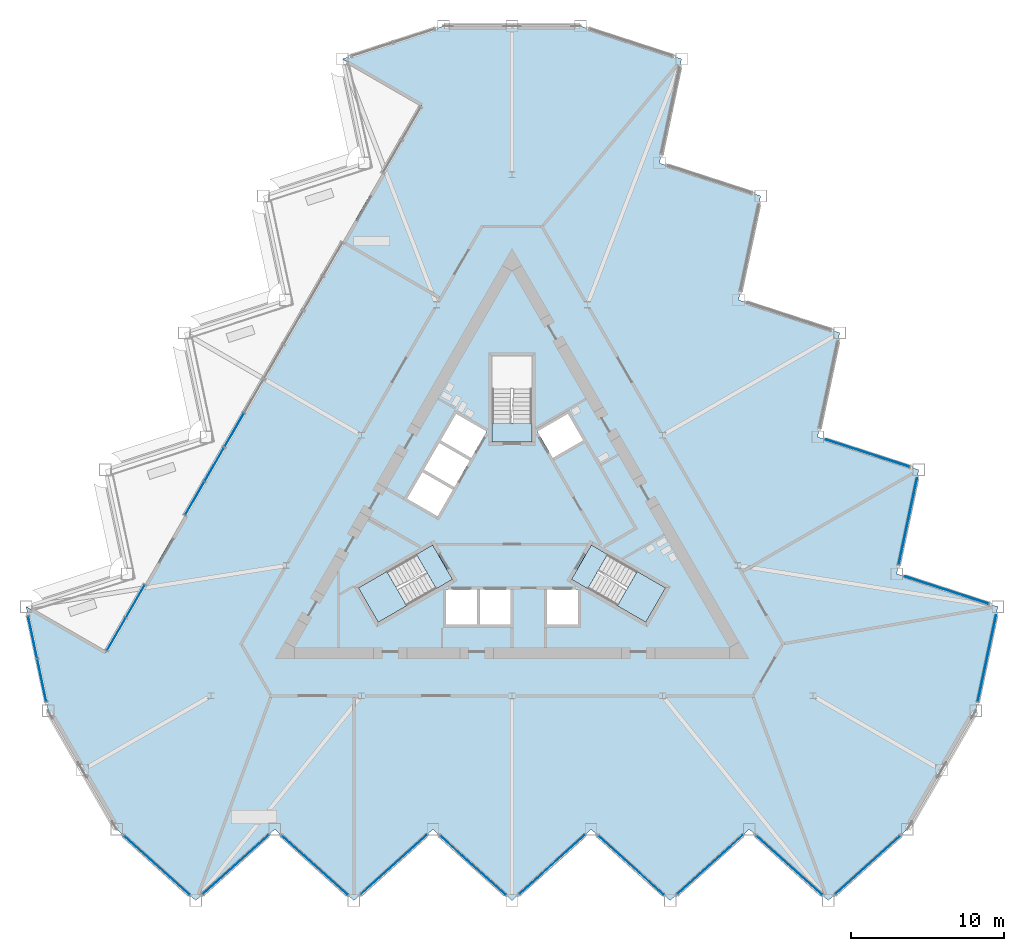
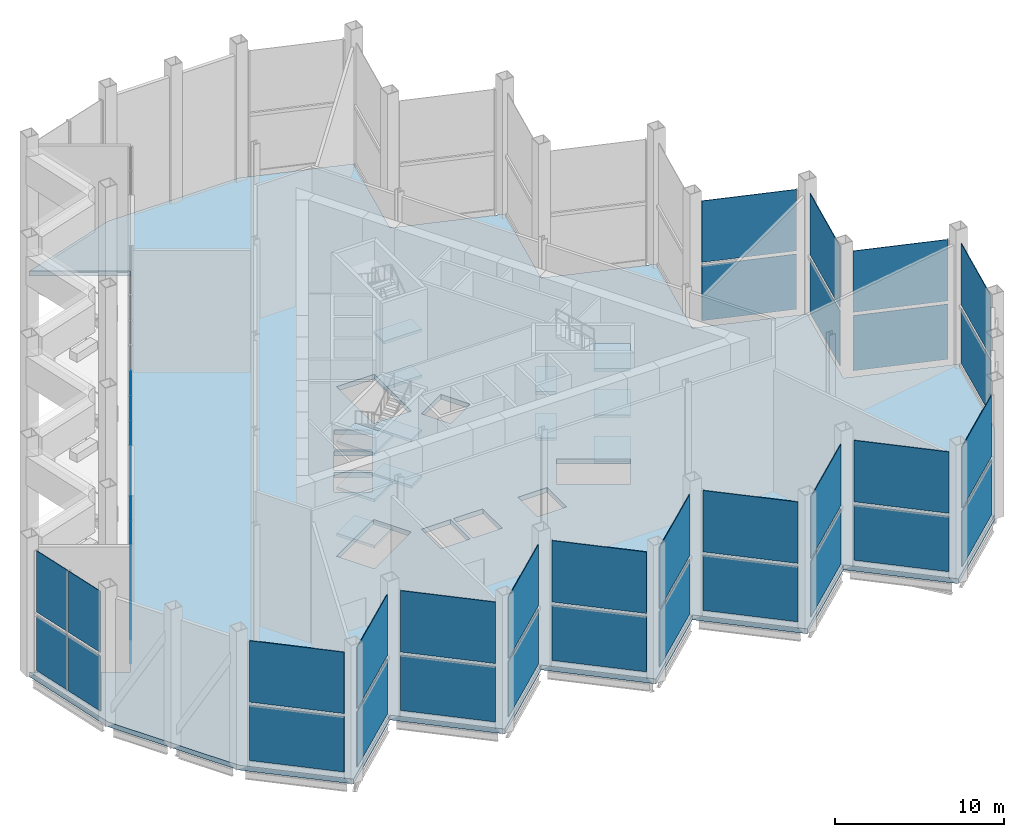
# One storey, part 7 of 18: 42 plates, 13 slabs, 9 elements without a shape of their own.
"""IFC4 building model written with IfcOpenShell, lengths in metres."""

from ifc_helpers import new_model, si_unit, direction, frame, origin, origin_2d, place, context, subcontext, project, spatial, polyline, rectangle, outline, extrude, material, layer, layer_set, type_object, element, aggregate, save


model = new_model("IFC4")

# Units and contexts
model_context = context("Model", 3, precision=1e-05, world=origin(), true_north=direction((0.0, 1.0)))
body_context = subcontext(model_context, "Body", "Model", "MODEL_VIEW")
ifc_project = project(units=[si_unit("LENGTHUNIT", "METRE"), si_unit("AREAUNIT", "SQUARE_METRE"), si_unit("VOLUMEUNIT", "CUBIC_METRE"), si_unit("PLANEANGLEUNIT", "RADIAN"), si_unit("MASSUNIT", "GRAM", prefix="KILO")], contexts=[model_context])

# Site, building, storey
site_placement = place(None, origin())
site = spatial("IfcSite", under=ifc_project, at=site_placement, CompositionType="ELEMENT")
building_placement = place(site_placement, origin())
building = spatial("IfcBuilding", under=site, at=building_placement, Name="Cormorant Prow Tower", CompositionType="ELEMENT")
storey_placement = place(building_placement, frame((0.0, 0.0, 216.0)))
storey = spatial("IfcBuildingStorey", under=building, at=storey_placement, Name="L48", CompositionType="ELEMENT", Elevation=216.0)

# Slab
ifc_material_1 = material(Name="Concrete C40/50", Category="concrete")
ifc_layer_1 = layer(ifc_material_1, 0.35009765625)
ifc_layer_set_1 = layer_set([ifc_layer_1], Name="Concrete C40/50")
slab_type_1 = type_object("IfcSlabType", Name="Post-tensioned flat slab 350", PredefinedType="FLOOR", material=ifc_layer_set_1)
slab_1_placement = place(storey_placement, frame((0.0, 0.0, -0.35009765625)))
element("IfcSlab", 1, at=slab_1_placement, inside=storey, type_object=slab_type_1, Name="Floor slab L48", PredefinedType="FLOOR", context=body_context, shape_type="SweptSolid", body=[
    extrude(outline(polyline([(25.12939453125, -3.3828125), (26.57421875, 3.415283203125), (19.964599609375, 5.562744140625), (21.409423828125, 12.36083984375), (14.7998046875, 14.50830078125), (16.244873046875, 21.306396484375), (9.63525390625, 23.453857421875), (11.080078125, 30.251953125), (4.470458984375, 32.3994140625), (0.0, 32.3994140625), (-4.470458984375, 32.3994140625), (-11.080078125, 30.251953125), (-5.884033203125, 27.251953125), (-26.542724609375, -8.5302734375), (-31.739013671875, -5.5302734375), (-30.2939453125, -12.328369140625), (-28.058837890625, -16.19970703125), (-25.823486328125, -20.0712890625), (-20.658935546875, -24.7216796875), (-15.494140625, -20.0712890625), (-10.329345703125, -24.7216796875), (-5.164794921875, -20.0712890625), (0.0, -24.7216796875), (5.164794921875, -20.0712890625), (10.329345703125, -24.7216796875), (15.494140625, -20.0712890625), (20.658935546875, -24.7216796875), (25.823486328125, -20.0712890625), (28.058837890625, -16.19970703125), (30.2939453125, -12.328369140625), (31.739013671875, -5.5302734375), (25.12939453125, -3.3828125)]), holes=[polyline([(-4.300048828125, -4.39990234375), (-2.300048828125, -4.39990234375), (-2.300048828125, -6.699951171875), (-4.300048828125, -6.699951171875), (-4.300048828125, -4.39990234375)]), polyline([(-0.10009765625, -4.39990234375), (-0.10009765625, -6.699951171875), (-2.10009765625, -6.699951171875), (-2.10009765625, -4.39990234375), (-0.10009765625, -4.39990234375)]), polyline([(4.300048828125, -6.699951171875), (2.300048828125, -6.699951171875), (2.300048828125, -4.39990234375), (4.300048828125, -4.39990234375), (4.300048828125, -6.699951171875)]), polyline([(4.65234375, 5.341796875), (2.660400390625, 4.19189453125), (1.660400390625, 5.923828125), (3.65234375, 7.073974609375), (4.65234375, 5.341796875)]), polyline([(-1.660400390625, 5.923828125), (-2.660400390625, 4.19189453125), (-4.65234375, 5.341796875), (-3.65234375, 7.073974609375), (-1.660400390625, 5.923828125)]), polyline([(-3.760498046875, 2.28662109375), (-5.75244140625, 3.4365234375), (-4.75244140625, 5.168701171875), (-2.760498046875, 4.018798828125), (-3.760498046875, 2.28662109375)]), polyline([(-6.852294921875, 1.53125), (-5.852294921875, 3.263427734375), (-3.860595703125, 2.11328125), (-4.860595703125, 0.38134765625), (-6.852294921875, 1.53125)]), polyline([(-4.947509765625, -4.3505859375), (-8.738037109375, -6.5390625), (-10.031982421875, -4.2978515625), (-6.241455078125, -2.109375), (-4.947509765625, -4.3505859375)]), polyline([(10.031982421875, -4.2978515625), (8.738037109375, -6.5390625), (4.947509765625, -4.3505859375), (6.241455078125, -2.109375), (10.031982421875, -4.2978515625)]), polyline([(1.2939453125, 10.8369140625), (1.2939453125, 6.459716796875), (-1.2939453125, 6.459716796875), (-1.2939453125, 10.8369140625), (1.2939453125, 10.8369140625)])]), origin(), (0.0, 0.0, 1.0), 0.35009765625),
])

# Curtain wall, plates
ifc_material_2 = material(Name="Aluminium 6063-T6", Category="aluminium")
ifc_layer_2 = layer(ifc_material_2, 0.300048828125)
ifc_layer_set_2 = layer_set([ifc_layer_2], Name="Aluminium 6063-T6")
curtain_wall_type = type_object("IfcCurtainWallType", Name="Sky lobby unitised curtain wall 300", PredefinedType="NOTDEFINED", material=ifc_layer_set_2)
curtain_wall_1_placement = place(storey_placement, origin())
curtain_wall_1 = element("IfcCurtainWall", 2, at=curtain_wall_1_placement, inside=storey, type_object=curtain_wall_type, Name="Sky lobby curtain wall S00-S09", PredefinedType="NOTDEFINED")
ifc_material_3 = material(Name="Clear glass", Category="glass")
ifc_layer_3 = layer(ifc_material_3, 0.0439453125)
ifc_layer_set_3 = layer_set([ifc_layer_3], Name="Clear glass")
plate_type = type_object("IfcPlateType", Name="Sky lobby glass panel 44", PredefinedType="CURTAIN_PANEL", material=ifc_layer_set_3)
plate_1_placement = place(storey_placement, frame((-23.21142578125, -22.423095703125, 0.449951171875), z_axis=(0.0, 0.0, 1.0), x_axis=(0.743144888098, -0.669130536812, 0.0)))
plate_1 = element("IfcPlate", 3, at=plate_1_placement, type_object=plate_type, Name="Sky lobby glass panel S00-S09", PredefinedType="CURTAIN_PANEL", context=body_context, shape_type="SweptSolid", body=[
    extrude(rectangle(XDim=5.73388671875, YDim=0.0439453125, at=origin_2d()), origin(), (0.0, 0.0, 1.0), 3.98046875),
])
plate_2_placement = place(storey_placement, frame((-23.21142578125, -22.423095703125, 4.67041015625), z_axis=(0.0, 0.0, 1.0), x_axis=(0.743144888098, -0.669130536812, 0.0)))
plate_2 = element("IfcPlate", 4, at=plate_2_placement, type_object=plate_type, Name="Sky lobby glass panel S00-S09", PredefinedType="CURTAIN_PANEL", context=body_context, shape_type="SweptSolid", body=[
    extrude(rectangle(XDim=5.73388671875, YDim=0.0439453125, at=origin_2d()), origin(), (0.0, 0.0, 1.0), 4.430419921875),
])
plate_3_placement = place(storey_placement, frame((-18.046875, -22.36962890625, 0.449951171875), z_axis=(0.0, 0.0, 1.0), x_axis=(0.743144823679, 0.669130608356, 0.0)))
plate_3 = element("IfcPlate", 5, at=plate_3_placement, type_object=plate_type, Name="Sky lobby glass panel S00-S09", PredefinedType="CURTAIN_PANEL", context=body_context, shape_type="SweptSolid", body=[
    extrude(rectangle(XDim=5.73388671875, YDim=0.0439453125, at=origin_2d()), origin(), (0.0, 0.0, 1.0), 3.98046875),
])
plate_4_placement = place(storey_placement, frame((-18.046875, -22.36962890625, 4.67041015625), z_axis=(0.0, 0.0, 1.0), x_axis=(0.743144823679, 0.669130608356, 0.0)))
plate_4 = element("IfcPlate", 6, at=plate_4_placement, type_object=plate_type, Name="Sky lobby glass panel S00-S09", PredefinedType="CURTAIN_PANEL", context=body_context, shape_type="SweptSolid", body=[
    extrude(rectangle(XDim=5.73388671875, YDim=0.0439453125, at=origin_2d()), origin(), (0.0, 0.0, 1.0), 4.430419921875),
])
plate_5_placement = place(storey_placement, frame((-12.882080078125, -22.423095703125, 0.449951171875), z_axis=(0.0, 0.0, 1.0), x_axis=(0.743144823679, -0.669130608356, 0.0)))
plate_5 = element("IfcPlate", 7, at=plate_5_placement, type_object=plate_type, Name="Sky lobby glass panel S00-S09", PredefinedType="CURTAIN_PANEL", context=body_context, shape_type="SweptSolid", body=[
    extrude(rectangle(XDim=5.73388671875, YDim=0.0439453125, at=origin_2d()), origin(), (0.0, 0.0, 1.0), 3.98046875),
])
plate_6_placement = place(storey_placement, frame((-12.882080078125, -22.423095703125, 4.67041015625), z_axis=(0.0, 0.0, 1.0), x_axis=(0.743144823679, -0.669130608356, 0.0)))
plate_6 = element("IfcPlate", 8, at=plate_6_placement, type_object=plate_type, Name="Sky lobby glass panel S00-S09", PredefinedType="CURTAIN_PANEL", context=body_context, shape_type="SweptSolid", body=[
    extrude(rectangle(XDim=5.73388671875, YDim=0.0439453125, at=origin_2d()), origin(), (0.0, 0.0, 1.0), 4.430419921875),
])
plate_7_placement = place(storey_placement, frame((-7.71728515625, -22.36962890625, 0.449951171875), z_axis=(0.0, 0.0, 1.0), x_axis=(0.743144888098, 0.669130536812, 0.0)))
plate_7 = element("IfcPlate", 9, at=plate_7_placement, type_object=plate_type, Name="Sky lobby glass panel S00-S09", PredefinedType="CURTAIN_PANEL", context=body_context, shape_type="SweptSolid", body=[
    extrude(rectangle(XDim=5.73388671875, YDim=0.0439453125, at=origin_2d()), origin(), (0.0, 0.0, 1.0), 3.98046875),
])
plate_8_placement = place(storey_placement, frame((-7.71728515625, -22.36962890625, 4.67041015625), z_axis=(0.0, 0.0, 1.0), x_axis=(0.743144888098, 0.669130536812, 0.0)))
plate_8 = element("IfcPlate", 10, at=plate_8_placement, type_object=plate_type, Name="Sky lobby glass panel S00-S09", PredefinedType="CURTAIN_PANEL", context=body_context, shape_type="SweptSolid", body=[
    extrude(rectangle(XDim=5.73388671875, YDim=0.0439453125, at=origin_2d()), origin(), (0.0, 0.0, 1.0), 4.430419921875),
])
plate_9_placement = place(storey_placement, frame((-2.552734375, -22.423095703125, 0.449951171875), z_axis=(0.0, 0.0, 1.0), x_axis=(0.743144823679, -0.669130608356, 0.0)))
plate_9 = element("IfcPlate", 11, at=plate_9_placement, type_object=plate_type, Name="Sky lobby glass panel S00-S09", PredefinedType="CURTAIN_PANEL", context=body_context, shape_type="SweptSolid", body=[
    extrude(rectangle(XDim=5.73388671875, YDim=0.0439453125, at=origin_2d()), origin(), (0.0, 0.0, 1.0), 3.98046875),
])
plate_10_placement = place(storey_placement, frame((-2.552734375, -22.423095703125, 4.67041015625), z_axis=(0.0, 0.0, 1.0), x_axis=(0.743144823679, -0.669130608356, 0.0)))
plate_10 = element("IfcPlate", 12, at=plate_10_placement, type_object=plate_type, Name="Sky lobby glass panel S00-S09", PredefinedType="CURTAIN_PANEL", context=body_context, shape_type="SweptSolid", body=[
    extrude(rectangle(XDim=5.73388671875, YDim=0.0439453125, at=origin_2d()), origin(), (0.0, 0.0, 1.0), 4.430419921875),
])
plate_11_placement = place(storey_placement, frame((2.612060546875, -22.36962890625, 0.449951171875), z_axis=(0.0, 0.0, 1.0), x_axis=(0.743144823679, 0.669130608356, 0.0)))
plate_11 = element("IfcPlate", 13, at=plate_11_placement, type_object=plate_type, Name="Sky lobby glass panel S00-S09", PredefinedType="CURTAIN_PANEL", context=body_context, shape_type="SweptSolid", body=[
    extrude(rectangle(XDim=5.73388671875, YDim=0.0439453125, at=origin_2d()), origin(), (0.0, 0.0, 1.0), 3.98046875),
])
plate_12_placement = place(storey_placement, frame((2.612060546875, -22.36962890625, 4.67041015625), z_axis=(0.0, 0.0, 1.0), x_axis=(0.743144823679, 0.669130608356, 0.0)))
plate_12 = element("IfcPlate", 14, at=plate_12_placement, type_object=plate_type, Name="Sky lobby glass panel S00-S09", PredefinedType="CURTAIN_PANEL", context=body_context, shape_type="SweptSolid", body=[
    extrude(rectangle(XDim=5.73388671875, YDim=0.0439453125, at=origin_2d()), origin(), (0.0, 0.0, 1.0), 4.430419921875),
])
plate_13_placement = place(storey_placement, frame((7.77685546875, -22.423095703125, 0.449951171875), z_axis=(0.0, 0.0, 1.0), x_axis=(0.743144888098, -0.669130536812, 0.0)))
plate_13 = element("IfcPlate", 15, at=plate_13_placement, type_object=plate_type, Name="Sky lobby glass panel S00-S09", PredefinedType="CURTAIN_PANEL", context=body_context, shape_type="SweptSolid", body=[
    extrude(rectangle(XDim=5.73388671875, YDim=0.0439453125, at=origin_2d()), origin(), (0.0, 0.0, 1.0), 3.98046875),
])
plate_14_placement = place(storey_placement, frame((7.77685546875, -22.423095703125, 4.67041015625), z_axis=(0.0, 0.0, 1.0), x_axis=(0.743144888098, -0.669130536812, 0.0)))
plate_14 = element("IfcPlate", 16, at=plate_14_placement, type_object=plate_type, Name="Sky lobby glass panel S00-S09", PredefinedType="CURTAIN_PANEL", context=body_context, shape_type="SweptSolid", body=[
    extrude(rectangle(XDim=5.73388671875, YDim=0.0439453125, at=origin_2d()), origin(), (0.0, 0.0, 1.0), 4.430419921875),
])
plate_15_placement = place(storey_placement, frame((12.94140625, -22.36962890625, 0.449951171875), z_axis=(0.0, 0.0, 1.0), x_axis=(0.743144823679, 0.669130608356, 0.0)))
plate_15 = element("IfcPlate", 17, at=plate_15_placement, type_object=plate_type, Name="Sky lobby glass panel S00-S09", PredefinedType="CURTAIN_PANEL", context=body_context, shape_type="SweptSolid", body=[
    extrude(rectangle(XDim=5.73388671875, YDim=0.0439453125, at=origin_2d()), origin(), (0.0, 0.0, 1.0), 3.98046875),
])
plate_16_placement = place(storey_placement, frame((12.94140625, -22.36962890625, 4.67041015625), z_axis=(0.0, 0.0, 1.0), x_axis=(0.743144823679, 0.669130608356, 0.0)))
plate_16 = element("IfcPlate", 18, at=plate_16_placement, type_object=plate_type, Name="Sky lobby glass panel S00-S09", PredefinedType="CURTAIN_PANEL", context=body_context, shape_type="SweptSolid", body=[
    extrude(rectangle(XDim=5.73388671875, YDim=0.0439453125, at=origin_2d()), origin(), (0.0, 0.0, 1.0), 4.430419921875),
])
plate_17_placement = place(storey_placement, frame((18.106201171875, -22.423095703125, 0.449951171875), z_axis=(0.0, 0.0, 1.0), x_axis=(0.743144823679, -0.669130608356, 0.0)))
plate_17 = element("IfcPlate", 19, at=plate_17_placement, type_object=plate_type, Name="Sky lobby glass panel S00-S09", PredefinedType="CURTAIN_PANEL", context=body_context, shape_type="SweptSolid", body=[
    extrude(rectangle(XDim=5.73388671875, YDim=0.0439453125, at=origin_2d()), origin(), (0.0, 0.0, 1.0), 3.98046875),
])
plate_18_placement = place(storey_placement, frame((18.106201171875, -22.423095703125, 4.67041015625), z_axis=(0.0, 0.0, 1.0), x_axis=(0.743144823679, -0.669130608356, 0.0)))
plate_18 = element("IfcPlate", 20, at=plate_18_placement, type_object=plate_type, Name="Sky lobby glass panel S00-S09", PredefinedType="CURTAIN_PANEL", context=body_context, shape_type="SweptSolid", body=[
    extrude(rectangle(XDim=5.73388671875, YDim=0.0439453125, at=origin_2d()), origin(), (0.0, 0.0, 1.0), 4.430419921875),
])
plate_19_placement = place(storey_placement, frame((23.2412109375, -22.396484375, 0.449951171875), z_axis=(0.0, 0.0, 1.0), x_axis=(0.743144888098, 0.669130536812, 0.0)))
plate_19 = element("IfcPlate", 21, at=plate_19_placement, type_object=plate_type, Name="Sky lobby glass panel S00-S09", PredefinedType="CURTAIN_PANEL", context=body_context, shape_type="SweptSolid", body=[
    extrude(rectangle(XDim=5.65380859375, YDim=0.0439453125, at=origin_2d()), origin(), (0.0, 0.0, 1.0), 3.98046875),
])
plate_20_placement = place(storey_placement, frame((23.2412109375, -22.396484375, 4.67041015625), z_axis=(0.0, 0.0, 1.0), x_axis=(0.743144888098, 0.669130536812, 0.0)))
plate_20 = element("IfcPlate", 22, at=plate_20_placement, type_object=plate_type, Name="Sky lobby glass panel S00-S09", PredefinedType="CURTAIN_PANEL", context=body_context, shape_type="SweptSolid", body=[
    extrude(rectangle(XDim=5.65380859375, YDim=0.0439453125, at=origin_2d()), origin(), (0.0, 0.0, 1.0), 4.430419921875),
])
aggregate(curtain_wall_1, [plate_1, plate_2, plate_3, plate_4, plate_5, plate_6, plate_7, plate_8, plate_9, plate_10, plate_11, plate_12, plate_13, plate_14, plate_15, plate_16, plate_17, plate_18, plate_19, plate_20])

curtain_wall_2_placement = place(storey_placement, origin())
curtain_wall_2 = element("IfcCurtainWall", 23, at=curtain_wall_2_placement, inside=storey, type_object=curtain_wall_type, Name="Sky lobby curtain wall ENE00-ENE09", PredefinedType="NOTDEFINED")
plate_21_placement = place(storey_placement, frame((31.02490234375, -8.89013671875, 0.449951171875), z_axis=(0.0, 0.0, 1.0), x_axis=(0.207911745465, 0.978147589118, 0.0)))
plate_21 = element("IfcPlate", 24, at=plate_21_placement, type_object=plate_type, Name="Sky lobby glass panel ENE00-ENE09", PredefinedType="CURTAIN_PANEL", context=body_context, shape_type="SweptSolid", body=[
    extrude(rectangle(XDim=5.73388671875, YDim=0.0439453125, at=origin_2d()), origin(), (0.0, 0.0, 1.0), 3.98046875),
])
plate_22_placement = place(storey_placement, frame((31.02490234375, -8.89013671875, 4.67041015625), z_axis=(0.0, 0.0, 1.0), x_axis=(0.207911745465, 0.978147589118, 0.0)))
plate_22 = element("IfcPlate", 25, at=plate_22_placement, type_object=plate_type, Name="Sky lobby glass panel ENE00-ENE09", PredefinedType="CURTAIN_PANEL", context=body_context, shape_type="SweptSolid", body=[
    extrude(rectangle(XDim=5.73388671875, YDim=0.0439453125, at=origin_2d()), origin(), (0.0, 0.0, 1.0), 4.430419921875),
])
plate_23_placement = place(storey_placement, frame((28.39599609375, -4.444091796875, 0.449951171875), z_axis=(0.0, 0.0, 1.0), x_axis=(-0.951056502294, 0.309017037466, 0.0)))
plate_23 = element("IfcPlate", 26, at=plate_23_placement, type_object=plate_type, Name="Sky lobby glass panel ENE00-ENE09", PredefinedType="CURTAIN_PANEL", context=body_context, shape_type="SweptSolid", body=[
    extrude(rectangle(XDim=5.73388671875, YDim=0.0439453125, at=origin_2d()), origin(), (0.0, 0.0, 1.0), 3.98046875),
])
plate_24_placement = place(storey_placement, frame((28.39599609375, -4.444091796875, 4.67041015625), z_axis=(0.0, 0.0, 1.0), x_axis=(-0.951056502294, 0.309017037466, 0.0)))
plate_24 = element("IfcPlate", 27, at=plate_24_placement, type_object=plate_type, Name="Sky lobby glass panel ENE00-ENE09", PredefinedType="CURTAIN_PANEL", context=body_context, shape_type="SweptSolid", body=[
    extrude(rectangle(XDim=5.73388671875, YDim=0.0439453125, at=origin_2d()), origin(), (0.0, 0.0, 1.0), 4.430419921875),
])
plate_25_placement = place(storey_placement, frame((25.860107421875, 0.055419921875, 0.449951171875), z_axis=(0.0, 0.0, 1.0), x_axis=(0.207911607797, 0.97814761838, 0.0)))
plate_25 = element("IfcPlate", 28, at=plate_25_placement, type_object=plate_type, Name="Sky lobby glass panel ENE00-ENE09", PredefinedType="CURTAIN_PANEL", context=body_context, shape_type="SweptSolid", body=[
    extrude(rectangle(XDim=5.73388671875, YDim=0.0439453125, at=origin_2d()), origin(), (0.0, 0.0, 1.0), 3.98046875),
])
plate_26_placement = place(storey_placement, frame((25.860107421875, 0.055419921875, 4.67041015625), z_axis=(0.0, 0.0, 1.0), x_axis=(0.207911607797, 0.97814761838, 0.0)))
plate_26 = element("IfcPlate", 29, at=plate_26_placement, type_object=plate_type, Name="Sky lobby glass panel ENE00-ENE09", PredefinedType="CURTAIN_PANEL", context=body_context, shape_type="SweptSolid", body=[
    extrude(rectangle(XDim=5.73388671875, YDim=0.0439453125, at=origin_2d()), origin(), (0.0, 0.0, 1.0), 4.430419921875),
])
plate_27_placement = place(storey_placement, frame((23.2314453125, 4.50146484375, 0.449951171875), z_axis=(0.0, 0.0, 1.0), x_axis=(-0.951056544583, 0.309016907313, 0.0)))
plate_27 = element("IfcPlate", 30, at=plate_27_placement, type_object=plate_type, Name="Sky lobby glass panel ENE00-ENE09", PredefinedType="CURTAIN_PANEL", context=body_context, shape_type="SweptSolid", body=[
    extrude(rectangle(XDim=5.73388671875, YDim=0.0439453125, at=origin_2d()), origin(), (0.0, 0.0, 1.0), 3.98046875),
])
plate_28_placement = place(storey_placement, frame((23.2314453125, 4.50146484375, 4.67041015625), z_axis=(0.0, 0.0, 1.0), x_axis=(-0.951056544583, 0.309016907313, 0.0)))
plate_28 = element("IfcPlate", 31, at=plate_28_placement, type_object=plate_type, Name="Sky lobby glass panel ENE00-ENE09", PredefinedType="CURTAIN_PANEL", context=body_context, shape_type="SweptSolid", body=[
    extrude(rectangle(XDim=5.73388671875, YDim=0.0439453125, at=origin_2d()), origin(), (0.0, 0.0, 1.0), 4.430419921875),
])
aggregate(curtain_wall_2, [plate_21, plate_22, plate_23, plate_24, plate_25, plate_26, plate_27, plate_28])

curtain_wall_3_placement = place(storey_placement, origin())
curtain_wall_3 = element("IfcCurtainWall", 32, at=curtain_wall_3_placement, inside=storey, type_object=curtain_wall_type, Name="Sky lobby curtain wall WNW09", PredefinedType="NOTDEFINED")
plate_29_placement = place(storey_placement, frame((-31.314453125, -7.527099609375, 0.449951171875), z_axis=(0.0, 0.0, 1.0), x_axis=(0.207911745465, -0.978147589118, 0.0)))
plate_29 = element("IfcPlate", 33, at=plate_29_placement, type_object=plate_type, Name="Sky lobby glass panel WNW09", PredefinedType="CURTAIN_PANEL", context=body_context, shape_type="SweptSolid", body=[
    extrude(rectangle(XDim=2.786865234375, YDim=0.0439453125, at=origin_2d()), origin(), (0.0, 0.0, 1.0), 3.98046875),
])
plate_30_placement = place(storey_placement, frame((-30.718505859375, -10.331298828125, 0.449951171875), z_axis=(0.0, 0.0, 1.0), x_axis=(0.207911745465, -0.978147589118, 0.0)))
plate_30 = element("IfcPlate", 34, at=plate_30_placement, type_object=plate_type, Name="Sky lobby glass panel WNW09", PredefinedType="CURTAIN_PANEL", context=body_context, shape_type="SweptSolid", body=[
    extrude(rectangle(XDim=2.786865234375, YDim=0.0439453125, at=origin_2d()), origin(), (0.0, 0.0, 1.0), 3.98046875),
])
plate_31_placement = place(storey_placement, frame((-31.314453125, -7.527099609375, 4.67041015625), z_axis=(0.0, 0.0, 1.0), x_axis=(0.207911745465, -0.978147589118, 0.0)))
plate_31 = element("IfcPlate", 35, at=plate_31_placement, type_object=plate_type, Name="Sky lobby glass panel WNW09", PredefinedType="CURTAIN_PANEL", context=body_context, shape_type="SweptSolid", body=[
    extrude(rectangle(XDim=2.786865234375, YDim=0.0439453125, at=origin_2d()), origin(), (0.0, 0.0, 1.0), 4.430419921875),
])
plate_32_placement = place(storey_placement, frame((-30.718505859375, -10.331298828125, 4.67041015625), z_axis=(0.0, 0.0, 1.0), x_axis=(0.207911745465, -0.978147589118, 0.0)))
plate_32 = element("IfcPlate", 36, at=plate_32_placement, type_object=plate_type, Name="Sky lobby glass panel WNW09", PredefinedType="CURTAIN_PANEL", context=body_context, shape_type="SweptSolid", body=[
    extrude(rectangle(XDim=2.786865234375, YDim=0.0439453125, at=origin_2d()), origin(), (0.0, 0.0, 1.0), 4.430419921875),
])
aggregate(curtain_wall_3, [plate_29, plate_30, plate_31, plate_32])

curtain_wall_4_placement = place(storey_placement, origin())
curtain_wall_4 = element("IfcCurtainWall", 37, at=curtain_wall_4_placement, inside=storey, type_object=curtain_wall_type, Name="Sky lobby curtain wall loggia WNW05", PredefinedType="NOTDEFINED")
plate_33_placement = place(storey_placement, frame((-18.14013671875, 6.0234375, 0.449951171875), z_axis=(0.0, 0.0, 1.0), x_axis=(-0.500000003174, -0.866025401952, 0.0)))
plate_33 = element("IfcPlate", 38, at=plate_33_placement, type_object=plate_type, Name="Sky lobby glass panel loggia WNW05", PredefinedType="CURTAIN_PANEL", context=body_context, shape_type="SweptSolid", body=[
    extrude(rectangle(XDim=2.46240234375, YDim=0.0439453125, at=origin_2d()), origin(), (0.0, 0.0, 1.0), 3.98046875),
])
plate_34_placement = place(storey_placement, frame((-18.14013671875, 6.0234375, 4.67041015625), z_axis=(0.0, 0.0, 1.0), x_axis=(-0.500000003174, -0.866025401952, 0.0)))
plate_34 = element("IfcPlate", 39, at=plate_34_placement, type_object=plate_type, Name="Sky lobby glass panel loggia WNW05", PredefinedType="CURTAIN_PANEL", context=body_context, shape_type="SweptSolid", body=[
    extrude(rectangle(XDim=2.46240234375, YDim=0.0439453125, at=origin_2d()), origin(), (0.0, 0.0, 1.0), 4.430419921875),
])
aggregate(curtain_wall_4, [plate_33, plate_34])

curtain_wall_5_placement = place(storey_placement, origin())
curtain_wall_5 = element("IfcCurtainWall", 40, at=curtain_wall_5_placement, inside=storey, type_object=curtain_wall_type, Name="Sky lobby curtain wall loggia WNW06", PredefinedType="NOTDEFINED")
plate_35_placement = place(storey_placement, frame((-19.451416015625, 3.75244140625, 0.449951171875), z_axis=(0.0, 0.0, 1.0), x_axis=(-0.500000003174, -0.866025401952, 0.0)))
plate_35 = element("IfcPlate", 41, at=plate_35_placement, type_object=plate_type, Name="Sky lobby glass panel loggia WNW06", PredefinedType="CURTAIN_PANEL", context=body_context, shape_type="SweptSolid", body=[
    extrude(rectangle(XDim=2.46240234375, YDim=0.0439453125, at=origin_2d()), origin(), (0.0, 0.0, 1.0), 3.98046875),
])
plate_36_placement = place(storey_placement, frame((-20.722412109375, 1.55078125, 0.449951171875), z_axis=(0.0, 0.0, 1.0), x_axis=(-0.500000003174, -0.866025401952, 0.0)))
plate_36 = element("IfcPlate", 42, at=plate_36_placement, type_object=plate_type, Name="Sky lobby glass panel loggia WNW06", PredefinedType="CURTAIN_PANEL", context=body_context, shape_type="SweptSolid", body=[
    extrude(rectangle(XDim=2.46240234375, YDim=0.0439453125, at=origin_2d()), origin(), (0.0, 0.0, 1.0), 3.98046875),
])
plate_37_placement = place(storey_placement, frame((-19.451416015625, 3.75244140625, 4.67041015625), z_axis=(0.0, 0.0, 1.0), x_axis=(-0.500000003174, -0.866025401952, 0.0)))
plate_37 = element("IfcPlate", 43, at=plate_37_placement, type_object=plate_type, Name="Sky lobby glass panel loggia WNW06", PredefinedType="CURTAIN_PANEL", context=body_context, shape_type="SweptSolid", body=[
    extrude(rectangle(XDim=2.46240234375, YDim=0.0439453125, at=origin_2d()), origin(), (0.0, 0.0, 1.0), 4.430419921875),
])
plate_38_placement = place(storey_placement, frame((-20.722412109375, 1.55078125, 4.67041015625), z_axis=(0.0, 0.0, 1.0), x_axis=(-0.500000003174, -0.866025401952, 0.0)))
plate_38 = element("IfcPlate", 44, at=plate_38_placement, type_object=plate_type, Name="Sky lobby glass panel loggia WNW06", PredefinedType="CURTAIN_PANEL", context=body_context, shape_type="SweptSolid", body=[
    extrude(rectangle(XDim=2.46240234375, YDim=0.0439453125, at=origin_2d()), origin(), (0.0, 0.0, 1.0), 4.430419921875),
])
aggregate(curtain_wall_5, [plate_35, plate_36, plate_37, plate_38])

curtain_wall_6_placement = place(storey_placement, origin())
curtain_wall_6 = element("IfcCurtainWall", 45, at=curtain_wall_6_placement, inside=storey, type_object=curtain_wall_type, Name="Sky lobby curtain wall loggia WNW08", PredefinedType="NOTDEFINED")
plate_39_placement = place(storey_placement, frame((-24.602294921875, -5.169189453125, 0.449951171875), z_axis=(0.0, 0.0, 1.0), x_axis=(-0.500000003174, -0.866025401952, 0.0)))
plate_39 = element("IfcPlate", 46, at=plate_39_placement, type_object=plate_type, Name="Sky lobby glass panel loggia WNW08", PredefinedType="CURTAIN_PANEL", context=body_context, shape_type="SweptSolid", body=[
    extrude(rectangle(XDim=2.407470703125, YDim=0.0439453125, at=origin_2d()), origin(), (0.0, 0.0, 1.0), 3.98046875),
])
plate_40_placement = place(storey_placement, frame((-25.845947265625, -7.3232421875, 0.449951171875), z_axis=(0.0, 0.0, 1.0), x_axis=(-0.500000003174, -0.866025401952, 0.0)))
plate_40 = element("IfcPlate", 47, at=plate_40_placement, type_object=plate_type, Name="Sky lobby glass panel loggia WNW08", PredefinedType="CURTAIN_PANEL", context=body_context, shape_type="SweptSolid", body=[
    extrude(rectangle(XDim=2.407470703125, YDim=0.0439453125, at=origin_2d()), origin(), (0.0, 0.0, 1.0), 3.98046875),
])
plate_41_placement = place(storey_placement, frame((-24.602294921875, -5.169189453125, 4.67041015625), z_axis=(0.0, 0.0, 1.0), x_axis=(-0.500000003174, -0.866025401952, 0.0)))
plate_41 = element("IfcPlate", 48, at=plate_41_placement, type_object=plate_type, Name="Sky lobby glass panel loggia WNW08", PredefinedType="CURTAIN_PANEL", context=body_context, shape_type="SweptSolid", body=[
    extrude(rectangle(XDim=2.407470703125, YDim=0.0439453125, at=origin_2d()), origin(), (0.0, 0.0, 1.0), 4.430419921875),
])
plate_42_placement = place(storey_placement, frame((-25.845947265625, -7.3232421875, 4.67041015625), z_axis=(0.0, 0.0, 1.0), x_axis=(-0.500000003174, -0.866025401952, 0.0)))
plate_42 = element("IfcPlate", 49, at=plate_42_placement, type_object=plate_type, Name="Sky lobby glass panel loggia WNW08", PredefinedType="CURTAIN_PANEL", context=body_context, shape_type="SweptSolid", body=[
    extrude(rectangle(XDim=2.407470703125, YDim=0.0439453125, at=origin_2d()), origin(), (0.0, 0.0, 1.0), 4.430419921875),
])
aggregate(curtain_wall_6, [plate_39, plate_40, plate_41, plate_42])

# Stair, slabs
ifc_material_4 = material(Name="Exit stair 54 risers")
stair_type = type_object("IfcStairType", Name="Exit stair 54 risers", PredefinedType="HALF_TURN_STAIR", material=ifc_material_4)
stair_1_placement = place(storey_placement, origin())
stair_1 = element("IfcStair", 50, at=stair_1_placement, inside=storey, type_object=stair_type, Name="L48 Exit stair ST1", PredefinedType="HALF_TURN_STAIR")
ifc_material_5 = material(Name="Concrete 5000 psi", Category="concrete")
ifc_layer_4 = layer(ifc_material_5, 0.199951171875)
ifc_layer_set_4 = layer_set([ifc_layer_4], Name="Concrete 5000 psi")
slab_type_2 = type_object("IfcSlabType", Name="Stair landing 200", PredefinedType="LANDING", material=ifc_layer_set_4)
slab_2_placement = place(storey_placement, frame((0.0, 0.0, 1.466552734375)))
slab_2 = element("IfcSlab", 51, at=slab_2_placement, type_object=slab_type_2, Name="ST1 landing 1", PredefinedType="LANDING", context=body_context, shape_type="SweptSolid", body=[
    extrude(outline(polyline([(-8.17431640625, -3.225341796875), (-10.031982421875, -4.2978515625), (-8.738037109375, -6.5390625), (-6.88037109375, -5.466552734375), (-8.17431640625, -3.225341796875)])), origin(), (0.0, 0.0, 1.0), 0.2001953125),
])
slab_3_placement = place(storey_placement, frame((0.0, 0.0, 3.13330078125)))
slab_3 = element("IfcSlab", 52, at=slab_3_placement, type_object=slab_type_2, Name="ST1 landing 2", PredefinedType="LANDING", context=body_context, shape_type="SweptSolid", body=[
    extrude(outline(polyline([(-5.18212890625, -1.497802734375), (-6.241455078125, -2.109375), (-4.947265625, -4.3505859375), (-3.88818359375, -3.739013671875), (-5.18212890625, -1.497802734375)])), origin(), (0.0, 0.0, 1.0), 0.199951171875),
])
slab_4_placement = place(storey_placement, frame((0.0, 0.0, 4.800048828125)))
slab_4 = element("IfcSlab", 53, at=slab_4_placement, type_object=slab_type_2, Name="ST1 landing 3", PredefinedType="LANDING", context=body_context, shape_type="SweptSolid", body=[
    extrude(outline(polyline([(-8.17431640625, -3.225341796875), (-10.031982421875, -4.2978515625), (-8.738037109375, -6.5390625), (-6.88037109375, -5.466552734375), (-8.17431640625, -3.225341796875)])), origin(), (0.0, 0.0, 1.0), 0.199951171875),
])
slab_5_placement = place(storey_placement, frame((0.0, 0.0, 6.466552734375)))
slab_5 = element("IfcSlab", 54, at=slab_5_placement, type_object=slab_type_2, Name="ST1 landing 4", PredefinedType="LANDING", context=body_context, shape_type="SweptSolid", body=[
    extrude(outline(polyline([(-5.18212890625, -1.497802734375), (-6.241455078125, -2.109375), (-4.947265625, -4.3505859375), (-3.88818359375, -3.739013671875), (-5.18212890625, -1.497802734375)])), origin(), (0.0, 0.0, 1.0), 0.2001953125),
])
slab_6_placement = place(storey_placement, frame((0.0, 0.0, 8.13330078125)))
slab_6 = element("IfcSlab", 55, at=slab_6_placement, type_object=slab_type_2, Name="ST1 landing 5", PredefinedType="LANDING", context=body_context, shape_type="SweptSolid", body=[
    extrude(outline(polyline([(-8.17431640625, -3.225341796875), (-10.031982421875, -4.2978515625), (-8.738037109375, -6.5390625), (-6.88037109375, -5.466552734375), (-8.17431640625, -3.225341796875)])), origin(), (0.0, 0.0, 1.0), 0.199951171875),
])
aggregate(stair_1, [slab_2, slab_3, slab_4, slab_5, slab_6])

stair_2_placement = place(storey_placement, origin())
stair_2 = element("IfcStair", 56, at=stair_2_placement, inside=storey, type_object=stair_type, Name="L48 Exit stair ST2", PredefinedType="HALF_TURN_STAIR")
slab_7_placement = place(storey_placement, frame((0.0, 0.0, 1.466552734375)))
slab_7 = element("IfcSlab", 57, at=slab_7_placement, type_object=slab_type_2, Name="ST2 landing 1", PredefinedType="LANDING", context=body_context, shape_type="SweptSolid", body=[
    extrude(outline(polyline([(6.88037109375, -5.466552734375), (8.738037109375, -6.5390625), (10.031982421875, -4.2978515625), (8.17431640625, -3.225341796875), (6.88037109375, -5.466552734375)])), origin(), (0.0, 0.0, 1.0), 0.2001953125),
])
slab_8_placement = place(storey_placement, frame((0.0, 0.0, 3.13330078125)))
slab_8 = element("IfcSlab", 58, at=slab_8_placement, type_object=slab_type_2, Name="ST2 landing 2", PredefinedType="LANDING", context=body_context, shape_type="SweptSolid", body=[
    extrude(outline(polyline([(3.88818359375, -3.739013671875), (4.947265625, -4.3505859375), (6.241455078125, -2.109375), (5.18212890625, -1.497802734375), (3.88818359375, -3.739013671875)])), origin(), (0.0, 0.0, 1.0), 0.199951171875),
])
slab_9_placement = place(storey_placement, frame((0.0, 0.0, 4.800048828125)))
slab_9 = element("IfcSlab", 59, at=slab_9_placement, type_object=slab_type_2, Name="ST2 landing 3", PredefinedType="LANDING", context=body_context, shape_type="SweptSolid", body=[
    extrude(outline(polyline([(6.88037109375, -5.466552734375), (8.738037109375, -6.5390625), (10.031982421875, -4.2978515625), (8.17431640625, -3.225341796875), (6.88037109375, -5.466552734375)])), origin(), (0.0, 0.0, 1.0), 0.199951171875),
])
slab_10_placement = place(storey_placement, frame((0.0, 0.0, 6.466552734375)))
slab_10 = element("IfcSlab", 60, at=slab_10_placement, type_object=slab_type_2, Name="ST2 landing 4", PredefinedType="LANDING", context=body_context, shape_type="SweptSolid", body=[
    extrude(outline(polyline([(3.88818359375, -3.739013671875), (4.947265625, -4.3505859375), (6.241455078125, -2.109375), (5.18212890625, -1.497802734375), (3.88818359375, -3.739013671875)])), origin(), (0.0, 0.0, 1.0), 0.2001953125),
])
slab_11_placement = place(storey_placement, frame((0.0, 0.0, 8.13330078125)))
slab_11 = element("IfcSlab", 61, at=slab_11_placement, type_object=slab_type_2, Name="ST2 landing 5", PredefinedType="LANDING", context=body_context, shape_type="SweptSolid", body=[
    extrude(outline(polyline([(6.88037109375, -5.466552734375), (8.738037109375, -6.5390625), (10.031982421875, -4.2978515625), (8.17431640625, -3.225341796875), (6.88037109375, -5.466552734375)])), origin(), (0.0, 0.0, 1.0), 0.199951171875),
])
aggregate(stair_2, [slab_7, slab_8, slab_9, slab_10, slab_11])

stair_3_placement = place(storey_placement, origin())
stair_3 = element("IfcStair", 62, at=stair_3_placement, inside=storey, type_object=stair_type, Name="L48 Exit stair ST3", PredefinedType="HALF_TURN_STAIR")
slab_12_placement = place(storey_placement, frame((0.0, 0.0, 3.13330078125)))
slab_12 = element("IfcSlab", 63, at=slab_12_placement, type_object=slab_type_2, Name="ST3 landing 2", PredefinedType="LANDING", context=body_context, shape_type="SweptSolid", body=[
    extrude(outline(polyline([(1.2939453125, 5.23681640625), (1.2939453125, 6.459716796875), (-1.2939453125, 6.459716796875), (-1.2939453125, 5.23681640625), (1.2939453125, 5.23681640625)])), origin(), (0.0, 0.0, 1.0), 0.199951171875),
])
slab_13_placement = place(storey_placement, frame((0.0, 0.0, 6.466552734375)))
slab_13 = element("IfcSlab", 64, at=slab_13_placement, type_object=slab_type_2, Name="ST3 landing 4", PredefinedType="LANDING", context=body_context, shape_type="SweptSolid", body=[
    extrude(outline(polyline([(1.2939453125, 5.23681640625), (1.2939453125, 6.459716796875), (-1.2939453125, 6.459716796875), (-1.2939453125, 5.23681640625), (1.2939453125, 5.23681640625)])), origin(), (0.0, 0.0, 1.0), 0.2001953125),
])
aggregate(stair_3, [slab_12, slab_13])

save(model, "model.ifc")
